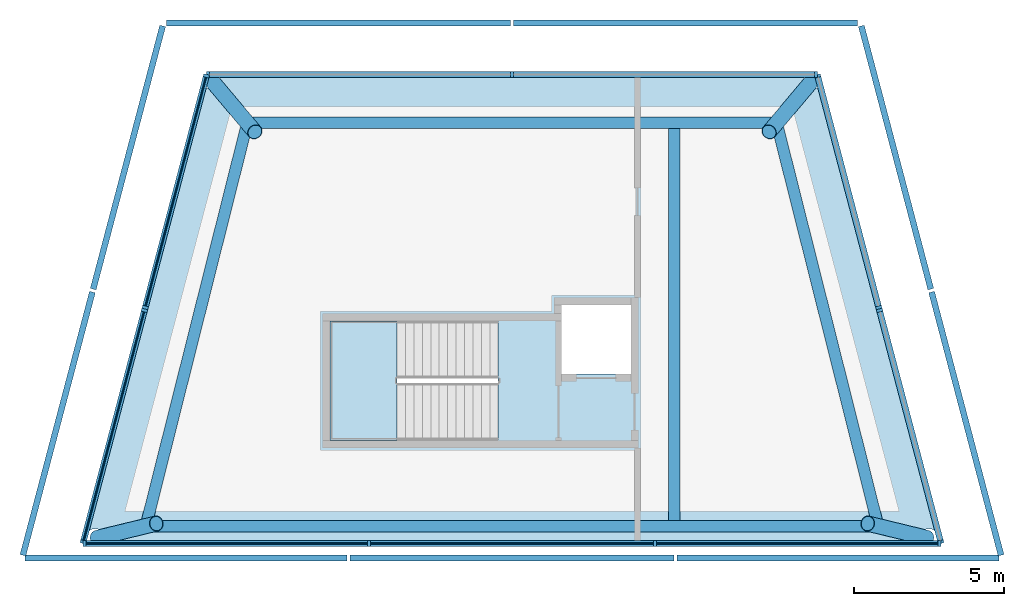
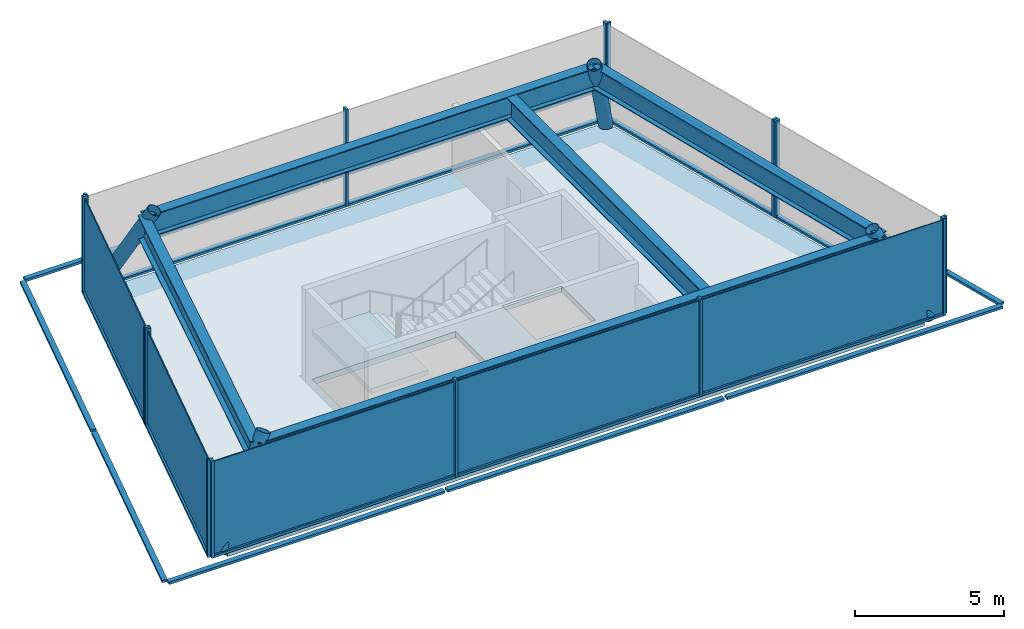
"""IFC4 building model written with IfcOpenShell, lengths in metres."""

from ifc_helpers import new_model, si_unit, direction, frame, origin, origin_2d, place, context, subcontext, project, spatial, polyline, rectangle, hollow_circle, i_section, outline, extrude, material, layer, layer_set, material_profile, profile_set, type_object, element, aggregate, save


model = new_model("IFC4")

# Units and contexts
model_context = context("Model", 3, precision=1e-05, world=origin(), true_north=direction((0.0, 1.0)))
body_context = subcontext(model_context, "Body", "Model", "MODEL_VIEW")
ifc_project = project(units=[si_unit("LENGTHUNIT", "METRE"), si_unit("AREAUNIT", "SQUARE_METRE"), si_unit("VOLUMEUNIT", "CUBIC_METRE"), si_unit("PLANEANGLEUNIT", "RADIAN"), si_unit("MASSUNIT", "GRAM", prefix="KILO")], contexts=[model_context])

# Site, building, storey
site_placement = place(None, origin())
site = spatial("IfcSite", under=ifc_project, at=site_placement, CompositionType="ELEMENT")
building_placement = place(site_placement, origin())
building = spatial("IfcBuilding", under=site, at=building_placement, Name="Quipu Civic Tower", CompositionType="ELEMENT")
storey_1_placement = place(building_placement, frame((0.0, 0.0, 376.0)))
storey_1 = spatial("IfcBuildingStorey", under=building, at=storey_1_placement, Name="L87", CompositionType="ELEMENT", Elevation=376.0)

# Beam
ifc_material_1 = material(Name="Steel ASTM A992 Grade 50 (fy 345 MPa)", Category="steel")
ifc_material_profile_1 = material_profile(ifc_material_1, i_section(OverallWidth=0.384033203125, OverallDepth=0.911865234375, WebThickness=0.019287109375, FlangeThickness=0.031982421875, at=origin_2d()), Name="W920x342")
ifc_profile_set_1 = profile_set([ifc_material_profile_1], Name="Steel ASTM A992 Grade 50 (fy 345 MPa)")
beam_type_1 = type_object("IfcBeamType", Name="Crown floor beam W920x342", PredefinedType="BEAM", material=ifc_profile_set_1)
beam_1_placement = place(storey_1_placement, frame((5.39990234375, -8.861572265625, 3.294189453125), z_axis=(0.0, 1.0, 0.0), x_axis=(-1.0, 0.0, 0.0)))
element("IfcBeam", 1, at=beam_1_placement, inside=storey_1, type_object=beam_type_1, Name="Crown floor beam L87 454", PredefinedType="BEAM", context=body_context, shape_type="SweptSolid", body=[
    extrude(i_section(OverallWidth=0.384033203125, OverallDepth=0.911865234375, WebThickness=0.019287109375, FlangeThickness=0.031982421875, at=origin_2d()), origin(), (0.0, 0.0, 1.0), 13.0263671875),
])

# Members
ifc_material_2 = material(Name="Steel ASTM A500 Grade C (fy 345 MPa)", Category="steel")
ifc_material_profile_2 = material_profile(ifc_material_2, hollow_circle(Radius=0.25390625, WallThickness=0.015869140625, at=origin_2d()), Name="HSS508x15.9")
ifc_profile_set_2 = profile_set([ifc_material_profile_2], Name="Steel ASTM A500 Grade C (fy 345 MPa)")
member_type_1 = type_object("IfcMemberType", Name="Crown leg HSS508x15.9", PredefinedType="BRACE", material=ifc_profile_set_2)
for number, where, z_axis, x_axis, name in (
    (2, (-13.80322265625, -9.447509765625, 0.0), (0.439648984698, 0.106632705339, 0.891817378394), (-0.235706778152, 0.971824220079, 0.0), "Crown leg L87 1"),
    (3, (13.80322265625, -9.447509765625, 0.0), (-0.439648984698, 0.106632705339, 0.891817378394), (-0.235706778152, -0.971824220079, 0.0), "Crown leg L87 2"),
):
    element("IfcMember", number, at=place(storey_1_placement, frame(where, z_axis=z_axis, x_axis=x_axis)), inside=storey_1, type_object=member_type_1, Name=name, PredefinedType="BRACE", context=body_context, shape_type="SweptSolid", body=[
        extrude(hollow_circle(Radius=0.25390625, WallThickness=0.015869140625, at=origin_2d()), origin(), (0.0, 0.0, 1.0), 4.485107421875),
    ])
for number, where, z_axis, x_axis, name in (
    (4, (9.9765625, 5.7509765625, 0.0), (-0.311787958811, -0.370321635217, 0.8750143743), (0.764974133549, -0.644061002547, 0.0), "Crown leg L87 3"),
    (5, (-9.9765625, 5.7509765625, 0.0), (0.311787958811, -0.370321635217, 0.8750143743), (0.764974133549, 0.644061002547, 0.0), "Crown leg L87 4"),
):
    element("IfcMember", number, at=place(storey_1_placement, frame(where, z_axis=z_axis, x_axis=x_axis)), inside=storey_1, type_object=member_type_1, Name=name, PredefinedType="BRACE", context=body_context, shape_type="SweptSolid", body=[
        extrude(hollow_circle(Radius=0.25390625, WallThickness=0.015869140625, at=origin_2d()), origin(), (0.0, 0.0, 1.0), 4.5712890625),
    ])

# Beams
ifc_material_3 = material(Name="Steel ASTM A992 Grade 50 (fy 345 MPa)", Category="steel")
ifc_material_profile_3 = material_profile(ifc_material_3, i_section(OverallWidth=0.384033203125, OverallDepth=0.911865234375, WebThickness=0.019287109375, FlangeThickness=0.031982421875, at=origin_2d()), Name="W920x342")
ifc_profile_set_3 = profile_set([ifc_material_profile_3], Name="Steel ASTM A992 Grade 50 (fy 345 MPa)")
beam_type_2 = type_object("IfcBeamType", Name="Crown ring girder W920x342", PredefinedType="BEAM", material=ifc_profile_set_3)
beam_2_placement = place(storey_1_placement, frame((-12.179443359375, -9.0537109375, 3.294189453125), z_axis=(1.0, 0.0, 0.0), x_axis=(0.0, 1.0, 0.0)))
element("IfcBeam", 6, at=beam_2_placement, inside=storey_1, type_object=beam_type_2, Name="Crown ring girder L87 1 to 2", PredefinedType="BEAM", context=body_context, shape_type="SweptSolid", body=[
    extrude(i_section(OverallWidth=0.384033203125, OverallDepth=0.911865234375, WebThickness=0.019287109375, FlangeThickness=0.031982421875, at=origin_2d()), origin(), (0.0, 0.0, 1.0), 24.35888671875),
])
beam_3_placement = place(storey_1_placement, frame((12.179443359375, -9.0537109375, 3.294189453125), z_axis=(-0.244176085948, 0.96973091064, 0.0), x_axis=(-0.96973091064, -0.244176085948, 0.0)))
element("IfcBeam", 7, at=beam_3_placement, inside=storey_1, type_object=beam_type_2, Name="Crown ring girder L87 2 to 3", PredefinedType="BEAM", context=body_context, shape_type="SweptSolid", body=[
    extrude(i_section(OverallWidth=0.384033203125, OverallDepth=0.911865234375, WebThickness=0.019287109375, FlangeThickness=0.031982421875, at=origin_2d()), origin(), (0.0, 0.0, 1.0), 13.8291015625),
])
beam_4_placement = place(storey_1_placement, frame((8.802734375, 4.356689453125, 3.294189453125), z_axis=(-1.0, 0.0, 0.0), x_axis=(0.0, -1.0, 0.0)))
element("IfcBeam", 8, at=beam_4_placement, inside=storey_1, type_object=beam_type_2, Name="Crown ring girder L87 3 to 4", PredefinedType="BEAM", context=body_context, shape_type="SweptSolid", body=[
    extrude(i_section(OverallWidth=0.384033203125, OverallDepth=0.911865234375, WebThickness=0.019287109375, FlangeThickness=0.031982421875, at=origin_2d()), origin(), (0.0, 0.0, 1.0), 17.60546875),
])
beam_5_placement = place(storey_1_placement, frame((-8.802734375, 4.356689453125, 3.294189453125), z_axis=(-0.244176085948, -0.96973091064, 0.0), x_axis=(0.96973091064, -0.244176085948, 0.0)))
element("IfcBeam", 9, at=beam_5_placement, inside=storey_1, type_object=beam_type_2, Name="Crown ring girder L87 4 to 1", PredefinedType="BEAM", context=body_context, shape_type="SweptSolid", body=[
    extrude(i_section(OverallWidth=0.384033203125, OverallDepth=0.911865234375, WebThickness=0.019287109375, FlangeThickness=0.031982421875, at=origin_2d()), origin(), (0.0, 0.0, 1.0), 13.8291015625),
])

# Curtain wall, members
ifc_material_4 = material(Name="Insulated glass unit", Category="glass")
curtain_wall_type_1 = type_object("IfcCurtainWallType", Name="Crown glass facets CW6", PredefinedType="NOTDEFINED", material=ifc_material_4)
curtain_wall_1_placement = place(storey_1_placement, origin())
curtain_wall_1 = element("IfcCurtainWall", 10, at=curtain_wall_1_placement, inside=storey_1, type_object=curtain_wall_type_1, Name="Crown glass facets CW6 L87 run 1", PredefinedType="NOTDEFINED")
ifc_material_5 = material(Name="Anodised aluminium", Category="aluminium")
ifc_material_profile_4 = material_profile(ifc_material_5, rectangle(XDim=0.199951171875, YDim=0.10009765625, at=origin_2d()), Name="RECT 200x100")
ifc_profile_set_4 = profile_set([ifc_material_profile_4], Name="Anodised aluminium")
member_type_2 = type_object("IfcMemberType", Name="Mullion CW6", PredefinedType="MULLION", material=ifc_profile_set_4)
member_1_placement = place(storey_1_placement, frame((-14.22314453125, -9.6298828125, 0.050048828125), z_axis=(0.0, 0.0, 1.0), x_axis=(0.0, 1.0, 0.0)))
member_1 = element("IfcMember", 11, at=member_1_placement, type_object=member_type_2, Name="CW6 mullion 1", PredefinedType="MULLION", context=body_context, shape_type="SweptSolid", body=[
    extrude(rectangle(XDim=0.199951171875, YDim=0.10009765625, at=origin_2d()), origin(), (0.0, 0.0, 1.0), 4.0),
])
member_2_placement = place(storey_1_placement, frame((-4.7578125, -9.6298828125, 0.050048828125), z_axis=(0.0, 0.0, 1.0), x_axis=(0.0, 1.0, 0.0)))
member_2 = element("IfcMember", 12, at=member_2_placement, type_object=member_type_2, Name="CW6 mullion 2", PredefinedType="MULLION", context=body_context, shape_type="SweptSolid", body=[
    extrude(rectangle(XDim=0.199951171875, YDim=0.10009765625, at=origin_2d()), origin(), (0.0, 0.0, 1.0), 4.0),
])
member_3_placement = place(storey_1_placement, frame((4.7578125, -9.6298828125, 0.050048828125), z_axis=(0.0, 0.0, 1.0), x_axis=(0.0, 1.0, 0.0)))
member_3 = element("IfcMember", 13, at=member_3_placement, type_object=member_type_2, Name="CW6 mullion 3", PredefinedType="MULLION", context=body_context, shape_type="SweptSolid", body=[
    extrude(rectangle(XDim=0.199951171875, YDim=0.10009765625, at=origin_2d()), origin(), (0.0, 0.0, 1.0), 4.0),
])
member_4_placement = place(storey_1_placement, frame((14.22314453125, -9.6298828125, 0.050048828125), z_axis=(0.0, 0.0, 1.0), x_axis=(0.0, 1.0, 0.0)))
member_4 = element("IfcMember", 14, at=member_4_placement, type_object=member_type_2, Name="CW6 mullion 4", PredefinedType="MULLION", context=body_context, shape_type="SweptSolid", body=[
    extrude(rectangle(XDim=0.199951171875, YDim=0.10009765625, at=origin_2d()), origin(), (0.0, 0.0, 1.0), 4.0),
])

curtain_wall_2_placement = place(storey_1_placement, origin())
curtain_wall_2 = element("IfcCurtainWall", 15, at=curtain_wall_2_placement, inside=storey_1, type_object=curtain_wall_type_1, Name="Crown glass facets CW6 L87 run 2b", PredefinedType="NOTDEFINED")
member_5_placement = place(storey_1_placement, frame((12.20068359375, -1.78173828125, 0.050048828125), z_axis=(0.0, 0.0, 1.0), x_axis=(-0.966858551227, -0.255312635642, 0.0)))
member_5 = element("IfcMember", 16, at=member_5_placement, type_object=member_type_2, Name="CW6 mullion 1", PredefinedType="MULLION", context=body_context, shape_type="SweptSolid", body=[
    extrude(rectangle(XDim=0.199951171875, YDim=0.10009765625, at=origin_2d()), origin(), (0.0, 0.0, 1.0), 4.0),
])
member_6_placement = place(storey_1_placement, frame((10.16650390625, 5.921630859375, 0.050048828125), z_axis=(0.0, 0.0, 1.0), x_axis=(-0.966858551227, -0.255312635642, 0.0)))
member_6 = element("IfcMember", 17, at=member_6_placement, type_object=member_type_2, Name="CW6 mullion 2", PredefinedType="MULLION", context=body_context, shape_type="SweptSolid", body=[
    extrude(rectangle(XDim=0.199951171875, YDim=0.10009765625, at=origin_2d()), origin(), (0.0, 0.0, 1.0), 4.0),
])

curtain_wall_3_placement = place(storey_1_placement, origin())
curtain_wall_3 = element("IfcCurtainWall", 18, at=curtain_wall_3_placement, inside=storey_1, type_object=curtain_wall_type_1, Name="Crown glass facets CW6 L87 run 3", PredefinedType="NOTDEFINED")
member_7_placement = place(storey_1_placement, frame((10.103759765625, 5.969970703125, 0.050048828125), z_axis=(0.0, 0.0, 1.0), x_axis=(0.0, -1.0, 0.0)))
member_7 = element("IfcMember", 19, at=member_7_placement, type_object=member_type_2, Name="CW6 mullion 1", PredefinedType="MULLION", context=body_context, shape_type="SweptSolid", body=[
    extrude(rectangle(XDim=0.199951171875, YDim=0.10009765625, at=origin_2d()), origin(), (0.0, 0.0, 1.0), 4.0),
])
member_8_placement = place(storey_1_placement, frame((0.0, 5.969970703125, 0.050048828125), z_axis=(0.0, 0.0, 1.0), x_axis=(0.0, -1.0, 0.0)))
member_8 = element("IfcMember", 20, at=member_8_placement, type_object=member_type_2, Name="CW6 mullion 2", PredefinedType="MULLION", context=body_context, shape_type="SweptSolid", body=[
    extrude(rectangle(XDim=0.199951171875, YDim=0.10009765625, at=origin_2d()), origin(), (0.0, 0.0, 1.0), 4.0),
])
member_9_placement = place(storey_1_placement, frame((-10.103759765625, 5.969970703125, 0.050048828125), z_axis=(0.0, 0.0, 1.0), x_axis=(0.0, -1.0, 0.0)))
member_9 = element("IfcMember", 21, at=member_9_placement, type_object=member_type_2, Name="CW6 mullion 3", PredefinedType="MULLION", context=body_context, shape_type="SweptSolid", body=[
    extrude(rectangle(XDim=0.199951171875, YDim=0.10009765625, at=origin_2d()), origin(), (0.0, 0.0, 1.0), 4.0),
])

curtain_wall_4_placement = place(storey_1_placement, origin())
curtain_wall_4 = element("IfcCurtainWall", 22, at=curtain_wall_4_placement, inside=storey_1, type_object=curtain_wall_type_1, Name="Crown glass facets CW6 L87 run 4a", PredefinedType="NOTDEFINED")
member_10_placement = place(storey_1_placement, frame((-10.16650390625, 5.921630859375, 0.050048828125), z_axis=(0.0, 0.0, 1.0), x_axis=(0.966858551227, -0.255312635642, 0.0)))
member_10 = element("IfcMember", 23, at=member_10_placement, type_object=member_type_2, Name="CW6 mullion 1", PredefinedType="MULLION", context=body_context, shape_type="SweptSolid", body=[
    extrude(rectangle(XDim=0.199951171875, YDim=0.10009765625, at=origin_2d()), origin(), (0.0, 0.0, 1.0), 4.0),
])
member_11_placement = place(storey_1_placement, frame((-12.20068359375, -1.78173828125, 0.050048828125), z_axis=(0.0, 0.0, 1.0), x_axis=(0.966858551227, -0.255312635642, 0.0)))
member_11 = element("IfcMember", 24, at=member_11_placement, type_object=member_type_2, Name="CW6 mullion 2", PredefinedType="MULLION", context=body_context, shape_type="SweptSolid", body=[
    extrude(rectangle(XDim=0.199951171875, YDim=0.10009765625, at=origin_2d()), origin(), (0.0, 0.0, 1.0), 4.0),
])

ifc_material_6 = material(Name="Anodised aluminium insulated panel", Category="aluminium")
curtain_wall_type_2 = type_object("IfcCurtainWallType", Name="Insulated infill wall CW6I", PredefinedType="NOTDEFINED", material=ifc_material_6)
curtain_wall_5_placement = place(storey_1_placement, origin())
curtain_wall_5 = element("IfcCurtainWall", 25, at=curtain_wall_5_placement, inside=storey_1, type_object=curtain_wall_type_2, Name="Insulated infill wall CW6I L87 run 2a", PredefinedType="NOTDEFINED")
ifc_material_7 = material(Name="Anodised aluminium", Category="aluminium")
ifc_material_profile_5 = material_profile(ifc_material_7, rectangle(XDim=0.199951171875, YDim=0.10009765625, at=origin_2d()), Name="RECT 200x100")
ifc_profile_set_5 = profile_set([ifc_material_profile_5], Name="Anodised aluminium")
member_type_3 = type_object("IfcMemberType", Name="Mullion CW6I", PredefinedType="MULLION", material=ifc_profile_set_5)
member_12_placement = place(storey_1_placement, frame((14.26025390625, -9.58154296875, 0.050048828125), z_axis=(0.0, 0.0, 1.0), x_axis=(-0.966858551227, -0.255312635642, 0.0)))
member_12 = element("IfcMember", 26, at=member_12_placement, type_object=member_type_3, Name="CW6I mullion 1", PredefinedType="MULLION", context=body_context, shape_type="SweptSolid", body=[
    extrude(rectangle(XDim=0.199951171875, YDim=0.10009765625, at=origin_2d()), origin(), (0.0, 0.0, 1.0), 4.0),
])
member_13_placement = place(storey_1_placement, frame((12.22607421875, -1.87841796875, 0.050048828125), z_axis=(0.0, 0.0, 1.0), x_axis=(-0.966858551227, -0.255312635642, 0.0)))
member_13 = element("IfcMember", 27, at=member_13_placement, type_object=member_type_3, Name="CW6I mullion 2", PredefinedType="MULLION", context=body_context, shape_type="SweptSolid", body=[
    extrude(rectangle(XDim=0.199951171875, YDim=0.10009765625, at=origin_2d()), origin(), (0.0, 0.0, 1.0), 4.0),
])

curtain_wall_6_placement = place(storey_1_placement, origin())
curtain_wall_6 = element("IfcCurtainWall", 28, at=curtain_wall_6_placement, inside=storey_1, type_object=curtain_wall_type_2, Name="Insulated infill wall CW6I L87 run 4b", PredefinedType="NOTDEFINED")
member_14_placement = place(storey_1_placement, frame((-12.22607421875, -1.87841796875, 0.050048828125), z_axis=(0.0, 0.0, 1.0), x_axis=(0.966858551227, -0.255312635642, 0.0)))
member_14 = element("IfcMember", 29, at=member_14_placement, type_object=member_type_3, Name="CW6I mullion 1", PredefinedType="MULLION", context=body_context, shape_type="SweptSolid", body=[
    extrude(rectangle(XDim=0.199951171875, YDim=0.10009765625, at=origin_2d()), origin(), (0.0, 0.0, 1.0), 4.0),
])
member_15_placement = place(storey_1_placement, frame((-14.26025390625, -9.58154296875, 0.050048828125), z_axis=(0.0, 0.0, 1.0), x_axis=(0.966858551227, -0.255312635642, 0.0)))
member_15 = element("IfcMember", 30, at=member_15_placement, type_object=member_type_3, Name="CW6I mullion 2", PredefinedType="MULLION", context=body_context, shape_type="SweptSolid", body=[
    extrude(rectangle(XDim=0.199951171875, YDim=0.10009765625, at=origin_2d()), origin(), (0.0, 0.0, 1.0), 4.0),
])

# Storey
storey_2_placement = place(building_placement, frame((0.0, 0.0, 372.0)))
storey_2 = spatial("IfcBuildingStorey", under=building, at=storey_2_placement, Name="L86", CompositionType="ELEMENT", Elevation=372.0)

# Curtain wall, members
curtain_wall_7_placement = place(storey_2_placement, origin())
curtain_wall_7 = element("IfcCurtainWall", 31, at=curtain_wall_7_placement, inside=storey_2, type_object=curtain_wall_type_1, Name="Crown glass facets CW6 L86 run 1", PredefinedType="NOTDEFINED")
ifc_material_8 = material(Name="Anodised aluminium", Category="aluminium")
ifc_material_profile_6 = material_profile(ifc_material_8, rectangle(XDim=0.199951171875, YDim=0.10009765625, at=origin_2d()), Name="RECT 200x100")
ifc_profile_set_6 = profile_set([ifc_material_profile_6], Name="Anodised aluminium")
member_type_4 = type_object("IfcMemberType", Name="Transom CW6", PredefinedType="USERDEFINED", material=ifc_profile_set_6)
member_16_placement = place(storey_1_placement, frame((-16.193603515625, -10.1201171875, 0.0), z_axis=(1.0, 0.0, 0.0), x_axis=(0.0, 1.0, 0.0)))
member_16 = element("IfcMember", 32, at=member_16_placement, inside=storey_1, type_object=member_type_4, Name="CW6 transom 1.2", ObjectType="TRANSOM", PredefinedType="USERDEFINED", context=body_context, shape_type="SweptSolid", body=[
    extrude(rectangle(XDim=0.199951171875, YDim=0.10009765625, at=origin_2d()), origin(), (0.0, 0.0, 1.0), 10.71240234375),
])
member_17_placement = place(storey_1_placement, frame((-5.381103515625, -10.1201171875, 0.0), z_axis=(1.0, 0.0, 0.0), x_axis=(0.0, 1.0, 0.0)))
member_17 = element("IfcMember", 33, at=member_17_placement, inside=storey_1, type_object=member_type_4, Name="CW6 transom 2.2", ObjectType="TRANSOM", PredefinedType="USERDEFINED", context=body_context, shape_type="SweptSolid", body=[
    extrude(rectangle(XDim=0.199951171875, YDim=0.10009765625, at=origin_2d()), origin(), (0.0, 0.0, 1.0), 10.76220703125),
])
member_18_placement = place(storey_1_placement, frame((5.481201171875, -10.1201171875, 0.0), z_axis=(1.0, 0.0, 0.0), x_axis=(0.0, 1.0, 0.0)))
member_18 = element("IfcMember", 34, at=member_18_placement, inside=storey_1, type_object=member_type_4, Name="CW6 transom 3.2", ObjectType="TRANSOM", PredefinedType="USERDEFINED", context=body_context, shape_type="SweptSolid", body=[
    extrude(rectangle(XDim=0.199951171875, YDim=0.10009765625, at=origin_2d()), origin(), (0.0, 0.0, 1.0), 10.71240234375),
])
aggregate(curtain_wall_7, [member_16, member_17, member_18])

curtain_wall_8_placement = place(storey_2_placement, origin())
curtain_wall_8 = element("IfcCurtainWall", 35, at=curtain_wall_8_placement, inside=storey_2, type_object=curtain_wall_type_1, Name="Crown glass facets CW6 L86 run 3", PredefinedType="NOTDEFINED")
member_19_placement = place(storey_1_placement, frame((11.4931640625, 7.679931640625, 0.0), z_axis=(-1.0, 0.0, 0.0), x_axis=(0.0, -1.0, 0.0)))
member_19 = element("IfcMember", 36, at=member_19_placement, inside=storey_1, type_object=member_type_4, Name="CW6 transom 1.2", ObjectType="TRANSOM", PredefinedType="USERDEFINED", context=body_context, shape_type="SweptSolid", body=[
    extrude(rectangle(XDim=0.199951171875, YDim=0.10009765625, at=origin_2d()), origin(), (0.0, 0.0, 1.0), 11.443115234375),
])
member_20_placement = place(storey_1_placement, frame((-0.050048828125, 7.679931640625, 0.0), z_axis=(-1.0, 0.0, 0.0), x_axis=(0.0, -1.0, 0.0)))
member_20 = element("IfcMember", 37, at=member_20_placement, inside=storey_1, type_object=member_type_4, Name="CW6 transom 2.2", ObjectType="TRANSOM", PredefinedType="USERDEFINED", context=body_context, shape_type="SweptSolid", body=[
    extrude(rectangle(XDim=0.199951171875, YDim=0.10009765625, at=origin_2d()), origin(), (0.0, 0.0, 1.0), 11.443115234375),
])
aggregate(curtain_wall_8, [member_19, member_20])

# Member
member_21_placement = place(storey_1_placement, frame((-14.173095703125, -9.6298828125, 0.10009765625), z_axis=(1.0, 0.0, 0.0), x_axis=(0.0, 1.0, 0.0)))
member_21 = element("IfcMember", 38, at=member_21_placement, type_object=member_type_4, Name="CW6 transom 1.1", ObjectType="TRANSOM", PredefinedType="USERDEFINED", context=body_context, shape_type="SweptSolid", body=[
    extrude(rectangle(XDim=0.199951171875, YDim=0.10009765625, at=origin_2d()), origin(), (0.0, 0.0, 1.0), 9.365478515625),
])

member_22_placement = place(storey_1_placement, frame((-4.707763671875, -9.6298828125, 0.10009765625), z_axis=(1.0, 0.0, 0.0), x_axis=(0.0, 1.0, 0.0)))
member_22 = element("IfcMember", 39, at=member_22_placement, type_object=member_type_4, Name="CW6 transom 2.1", ObjectType="TRANSOM", PredefinedType="USERDEFINED", context=body_context, shape_type="SweptSolid", body=[
    extrude(rectangle(XDim=0.199951171875, YDim=0.10009765625, at=origin_2d()), origin(), (0.0, 0.0, 1.0), 9.41552734375),
])

member_23_placement = place(storey_1_placement, frame((4.8076171875, -9.6298828125, 0.10009765625), z_axis=(1.0, 0.0, 0.0), x_axis=(0.0, 1.0, 0.0)))
member_23 = element("IfcMember", 40, at=member_23_placement, type_object=member_type_4, Name="CW6 transom 3.1", ObjectType="TRANSOM", PredefinedType="USERDEFINED", context=body_context, shape_type="SweptSolid", body=[
    extrude(rectangle(XDim=0.199951171875, YDim=0.10009765625, at=origin_2d()), origin(), (0.0, 0.0, 1.0), 9.365478515625),
])

member_24_placement = place(storey_1_placement, frame((12.18798828125, -1.7333984375, 0.10009765625), z_axis=(-0.255328728475, 0.966854301545, 0.0), x_axis=(-0.966854301545, -0.255328728475, 0.0)))
member_24 = element("IfcMember", 41, at=member_24_placement, type_object=member_type_4, Name="CW6 transom 1.1", ObjectType="TRANSOM", PredefinedType="USERDEFINED", context=body_context, shape_type="SweptSolid", body=[
    extrude(rectangle(XDim=0.199951171875, YDim=0.10009765625, at=origin_2d()), origin(), (0.0, 0.0, 1.0), 7.867431640625),
])

aggregate(curtain_wall_2, [member_5, member_6, member_24])

member_25_placement = place(storey_1_placement, frame((10.0537109375, 5.969970703125, 0.10009765625), z_axis=(-1.0, 0.0, 0.0), x_axis=(0.0, -1.0, 0.0)))
member_25 = element("IfcMember", 42, at=member_25_placement, type_object=member_type_4, Name="CW6 transom 1.1", ObjectType="TRANSOM", PredefinedType="USERDEFINED", context=body_context, shape_type="SweptSolid", body=[
    extrude(rectangle(XDim=0.199951171875, YDim=0.10009765625, at=origin_2d()), origin(), (0.0, 0.0, 1.0), 10.003662109375),
])

member_26_placement = place(storey_1_placement, frame((-0.050048828125, 5.969970703125, 0.10009765625), z_axis=(-1.0, 0.0, 0.0), x_axis=(0.0, -1.0, 0.0)))
member_26 = element("IfcMember", 43, at=member_26_placement, type_object=member_type_4, Name="CW6 transom 2.1", ObjectType="TRANSOM", PredefinedType="USERDEFINED", context=body_context, shape_type="SweptSolid", body=[
    extrude(rectangle(XDim=0.199951171875, YDim=0.10009765625, at=origin_2d()), origin(), (0.0, 0.0, 1.0), 10.003662109375),
])

aggregate(curtain_wall_3, [member_7, member_8, member_9, member_25, member_26])

member_27_placement = place(storey_1_placement, frame((-10.17919921875, 5.873291015625, 0.10009765625), z_axis=(-0.255328728475, -0.966854301545, 0.0), x_axis=(0.966854301545, -0.255328728475, 0.0)))
member_27 = element("IfcMember", 44, at=member_27_placement, type_object=member_type_4, Name="CW6 transom 1.1", ObjectType="TRANSOM", PredefinedType="USERDEFINED", context=body_context, shape_type="SweptSolid", body=[
    extrude(rectangle(XDim=0.199951171875, YDim=0.10009765625, at=origin_2d()), origin(), (0.0, 0.0, 1.0), 7.867431640625),
])

# Curtain wall, members
curtain_wall_9_placement = place(storey_2_placement, origin())
curtain_wall_9 = element("IfcCurtainWall", 45, at=curtain_wall_9_placement, inside=storey_2, type_object=curtain_wall_type_2, Name="Insulated infill wall CW6I L86 run 2", PredefinedType="NOTDEFINED")
ifc_material_9 = material(Name="Anodised aluminium", Category="aluminium")
ifc_material_profile_7 = material_profile(ifc_material_9, rectangle(XDim=0.199951171875, YDim=0.10009765625, at=origin_2d()), Name="RECT 200x100")
ifc_profile_set_7 = profile_set([ifc_material_profile_7], Name="Anodised aluminium")
member_type_5 = type_object("IfcMemberType", Name="Transom CW6I", PredefinedType="USERDEFINED", material=ifc_profile_set_7)
member_28_placement = place(storey_1_placement, frame((16.26806640625, -10.023193359375, 0.0), z_axis=(-0.255329302824, 0.966854149869, 0.0), x_axis=(-0.966854149869, -0.255329302824, 0.0)))
member_28 = element("IfcMember", 46, at=member_28_placement, inside=storey_1, type_object=member_type_5, Name="CW6I transom 1.2", ObjectType="TRANSOM", PredefinedType="USERDEFINED", context=body_context, shape_type="SweptSolid", body=[
    extrude(rectangle(XDim=0.199951171875, YDim=0.10009765625, at=origin_2d()), origin(), (0.0, 0.0, 1.0), 9.054931640625),
])
member_29_placement = place(storey_1_placement, frame((13.9306640625, -1.171630859375, 0.0), z_axis=(-0.255329302824, 0.966854149869, 0.0), x_axis=(-0.966854149869, -0.255329302824, 0.0)))
member_29 = element("IfcMember", 47, at=member_29_placement, inside=storey_1, type_object=member_type_5, Name="CW6I transom 2.2", ObjectType="TRANSOM", PredefinedType="USERDEFINED", context=body_context, shape_type="SweptSolid", body=[
    extrude(rectangle(XDim=0.199951171875, YDim=0.10009765625, at=origin_2d()), origin(), (0.0, 0.0, 1.0), 9.054931640625),
])
aggregate(curtain_wall_9, [member_28, member_29])

curtain_wall_10_placement = place(storey_2_placement, origin())
curtain_wall_10 = element("IfcCurtainWall", 48, at=curtain_wall_10_placement, inside=storey_2, type_object=curtain_wall_type_2, Name="Insulated infill wall CW6I L86 run 4", PredefinedType="NOTDEFINED")
member_30_placement = place(storey_1_placement, frame((-11.61865234375, 7.583251953125, 0.0), z_axis=(-0.255329302824, -0.966854149869, 0.0), x_axis=(0.966854149869, -0.255329302824, 0.0)))
member_30 = element("IfcMember", 49, at=member_30_placement, inside=storey_1, type_object=member_type_5, Name="CW6I transom 1.2", ObjectType="TRANSOM", PredefinedType="USERDEFINED", context=body_context, shape_type="SweptSolid", body=[
    extrude(rectangle(XDim=0.199951171875, YDim=0.10009765625, at=origin_2d()), origin(), (0.0, 0.0, 1.0), 9.054931640625),
])
member_31_placement = place(storey_1_placement, frame((-13.9560546875, -1.268310546875, 0.0), z_axis=(-0.255329302824, -0.966854149869, 0.0), x_axis=(0.966854149869, -0.255329302824, 0.0)))
member_31 = element("IfcMember", 50, at=member_31_placement, inside=storey_1, type_object=member_type_5, Name="CW6I transom 2.2", ObjectType="TRANSOM", PredefinedType="USERDEFINED", context=body_context, shape_type="SweptSolid", body=[
    extrude(rectangle(XDim=0.199951171875, YDim=0.10009765625, at=origin_2d()), origin(), (0.0, 0.0, 1.0), 9.054931640625),
])
aggregate(curtain_wall_10, [member_30, member_31])

# Member
member_32_placement = place(storey_1_placement, frame((14.24755859375, -9.533203125, 0.10009765625), z_axis=(-0.255307379616, 0.96685993914, 0.0), x_axis=(-0.96685993914, -0.255307379616, 0.0)))
member_32 = element("IfcMember", 51, at=member_32_placement, type_object=member_type_5, Name="CW6I transom 1.1", ObjectType="TRANSOM", PredefinedType="USERDEFINED", context=body_context, shape_type="SweptSolid", body=[
    extrude(rectangle(XDim=0.199951171875, YDim=0.10009765625, at=origin_2d()), origin(), (0.0, 0.0, 1.0), 7.8671875),
])

aggregate(curtain_wall_5, [member_12, member_13, member_32])

member_33_placement = place(storey_1_placement, frame((-12.239013671875, -1.9267578125, 0.10009765625), z_axis=(-0.255307379616, -0.96685993914, 0.0), x_axis=(0.96685993914, -0.255307379616, 0.0)))
member_33 = element("IfcMember", 52, at=member_33_placement, type_object=member_type_5, Name="CW6I transom 1.1", ObjectType="TRANSOM", PredefinedType="USERDEFINED", context=body_context, shape_type="SweptSolid", body=[
    extrude(rectangle(XDim=0.199951171875, YDim=0.10009765625, at=origin_2d()), origin(), (0.0, 0.0, 1.0), 7.8671875),
])

# Slab
ifc_material_10 = material(Name="Concrete C40/50", Category="concrete")
ifc_layer_1 = layer(ifc_material_10, 0.25)
ifc_layer_set_1 = layer_set([ifc_layer_1], Name="Concrete C40/50")
slab_type_1 = type_object("IfcSlabType", Name="Crown floor slab 250 C40/50", PredefinedType="FLOOR", material=ifc_layer_set_1)
slab_1_placement = place(storey_1_placement, frame((0.0, 0.0, -0.25)))
element("IfcSlab", 53, at=slab_1_placement, inside=storey_1, type_object=slab_type_1, Name="Crown floor slab L87", PredefinedType="FLOOR", context=body_context, shape_type="SweptSolid", body=[
    extrude(outline(polyline([(-13.550048828125, -9.530029296875), (-13.544921875, -9.429931640625), (-13.570068359375, -9.340087890625), (-13.614990234375, -9.260009765625), (-13.68505859375, -9.195068359375), (-13.77001953125, -9.155029296875), (-13.864990234375, -9.139892578125), (-13.9599609375, -9.155029296875), (-14.044921875, -9.195068359375), (-14.06005859375, -9.2099609375), (-10.169921875, 5.52001953125), (-10.0849609375, 5.489990234375), (-9.989990234375, 5.485107421875), (-9.8701171875, 5.52001953125), (-9.820068359375, 5.554931640625), (-9.7548828125, 5.625), (-9.72509765625, 5.679931640625), (-9.705078125, 5.739990234375), (-9.699951171875, 5.804931640625), (-9.705078125, 5.864990234375), (-9.7099609375, 5.8701171875), (9.7099609375, 5.8701171875), (9.705078125, 5.864990234375), (9.699951171875, 5.804931640625), (9.705078125, 5.739990234375), (9.72509765625, 5.679931640625), (9.7548828125, 5.625), (9.820068359375, 5.554931640625), (9.8701171875, 5.52001953125), (9.989990234375, 5.485107421875), (10.0849609375, 5.489990234375), (10.169921875, 5.52001953125), (14.06005859375, -9.2099609375), (14.044921875, -9.195068359375), (13.9599609375, -9.155029296875), (13.864990234375, -9.139892578125), (13.77001953125, -9.155029296875), (13.68505859375, -9.195068359375), (13.614990234375, -9.260009765625), (13.570068359375, -9.340087890625), (13.544921875, -9.429931640625), (13.550048828125, -9.530029296875), (-13.550048828125, -9.530029296875)]), holes=[polyline([(-6.044921875, -2.235107421875), (-6.044921875, -6.195068359375), (-0.465087890625, -6.195068359375), (-0.465087890625, -2.235107421875), (-6.044921875, -2.235107421875)]), polyline([(3.949951171875, -1.699951171875), (1.64990234375, -1.699951171875), (1.64990234375, -4.0), (3.949951171875, -4.0), (3.949951171875, -1.699951171875)])]), origin(), (0.0, 0.0, 1.0), 0.25),
])

# Plate
ifc_material_11 = material(Name="Insulated glass unit", Category="glass")
ifc_layer_2 = layer(ifc_material_11, 0.0400390625)
ifc_layer_set_2 = layer_set([ifc_layer_2], Name="Insulated glass unit")
plate_type_1 = type_object("IfcPlateType", Name="Glass panel CW6", PredefinedType="CURTAIN_PANEL", material=ifc_layer_set_2)
plate_1_placement = place(storey_1_placement, frame((-9.490478515625, -9.6298828125, 0.14990234375), z_axis=(0.0, 0.0, 1.0), x_axis=(1.0, 0.0, 0.0)))
plate_1 = element("IfcPlate", 54, at=plate_1_placement, type_object=plate_type_1, Name="CW6 panel 1.1", PredefinedType="CURTAIN_PANEL", context=body_context, shape_type="SweptSolid", body=[
    extrude(rectangle(XDim=9.365478515625, YDim=0.0400390625, at=origin_2d()), origin(), (0.0, 0.0, 1.0), 3.800048828125),
])

plate_2_placement = place(storey_1_placement, frame((0.0, -9.6298828125, 0.14990234375), z_axis=(0.0, 0.0, 1.0), x_axis=(1.0, 0.0, 0.0)))
plate_2 = element("IfcPlate", 55, at=plate_2_placement, type_object=plate_type_1, Name="CW6 panel 2.1", PredefinedType="CURTAIN_PANEL", context=body_context, shape_type="SweptSolid", body=[
    extrude(rectangle(XDim=9.415283203125, YDim=0.0400390625, at=origin_2d()), origin(), (0.0, 0.0, 1.0), 3.800048828125),
])

plate_3_placement = place(storey_1_placement, frame((9.490478515625, -9.6298828125, 0.14990234375), z_axis=(0.0, 0.0, 1.0), x_axis=(1.0, 0.0, 0.0)))
plate_3 = element("IfcPlate", 56, at=plate_3_placement, type_object=plate_type_1, Name="CW6 panel 3.1", PredefinedType="CURTAIN_PANEL", context=body_context, shape_type="SweptSolid", body=[
    extrude(rectangle(XDim=9.365478515625, YDim=0.0400390625, at=origin_2d()), origin(), (0.0, 0.0, 1.0), 3.800048828125),
])

aggregate(curtain_wall_1, [member_1, member_2, member_3, member_4, member_21, plate_1, member_22, plate_2, member_23, plate_3])

plate_4_placement = place(storey_1_placement, frame((-11.18359375, 2.070068359375, 0.14990234375), z_axis=(0.0, 0.0, 1.0), x_axis=(-0.255312635642, -0.966858551227, 0.0)))
plate_4 = element("IfcPlate", 57, at=plate_4_placement, type_object=plate_type_1, Name="CW6 panel 1.1", PredefinedType="CURTAIN_PANEL", context=body_context, shape_type="SweptSolid", body=[
    extrude(rectangle(XDim=7.867431640625, YDim=0.0400390625, at=origin_2d()), origin(), (0.0, 0.0, 1.0), 3.800048828125),
])

aggregate(curtain_wall_4, [member_10, member_11, member_27, plate_4])

ifc_material_12 = material(Name="Anodised aluminium insulated panel", Category="aluminium")
ifc_layer_3 = layer(ifc_material_12, 0.0400390625)
ifc_layer_set_3 = layer_set([ifc_layer_3], Name="Anodised aluminium insulated panel")
plate_type_2 = type_object("IfcPlateType", Name="Insulated panel CW6I", PredefinedType="CURTAIN_PANEL", material=ifc_layer_set_3)
plate_5_placement = place(storey_1_placement, frame((-13.2431640625, -5.72998046875, 0.14990234375), z_axis=(0.0, 0.0, 1.0), x_axis=(-0.255312635642, -0.966858551227, 0.0)))
plate_5 = element("IfcPlate", 58, at=plate_5_placement, type_object=plate_type_2, Name="CW6I panel 1.1", PredefinedType="CURTAIN_PANEL", context=body_context, shape_type="SweptSolid", body=[
    extrude(rectangle(XDim=7.867431640625, YDim=0.0400390625, at=origin_2d()), origin(), (0.0, 0.0, 1.0), 3.800048828125),
])

aggregate(curtain_wall_6, [member_14, member_15, member_33, plate_5])

# Stair, slab
ifc_material_13 = material(Name="Concrete C40/50", Category="concrete")
stair_type = type_object("IfcStairType", Name="Half turn stair 1910", PredefinedType="HALF_TURN_STAIR", material=ifc_material_13)
stair_placement = place(storey_1_placement, origin())
stair = element("IfcStair", 59, at=stair_placement, inside=storey_1, type_object=stair_type, Name="Crown access stair", PredefinedType="HALF_TURN_STAIR")
ifc_material_14 = material(Name="Concrete C40/50", Category="concrete")
ifc_layer_4 = layer(ifc_material_14, 0.199951171875)
ifc_layer_set_4 = layer_set([ifc_layer_4], Name="Concrete C40/50")
slab_type_2 = type_object("IfcSlabType", Name="Stair landing 200", PredefinedType="LANDING", material=ifc_layer_set_4)
slab_2_placement = place(storey_1_placement, frame((0.0, 0.0, 1.800048828125)))
slab_2 = element("IfcSlab", 60, at=slab_2_placement, type_object=slab_type_2, Name="ST-5 landing 1", PredefinedType="LANDING", context=body_context, shape_type="SweptSolid", body=[
    extrude(outline(polyline([(-3.820068359375, -2.22998046875), (-6.050048828125, -2.22998046875), (-6.050048828125, -6.199951171875), (-3.820068359375, -6.199951171875), (-3.820068359375, -2.22998046875)])), origin(), (0.0, 0.0, 1.0), 0.199951171875),
])
aggregate(stair, [slab_2])

save(model, "model.ifc")
